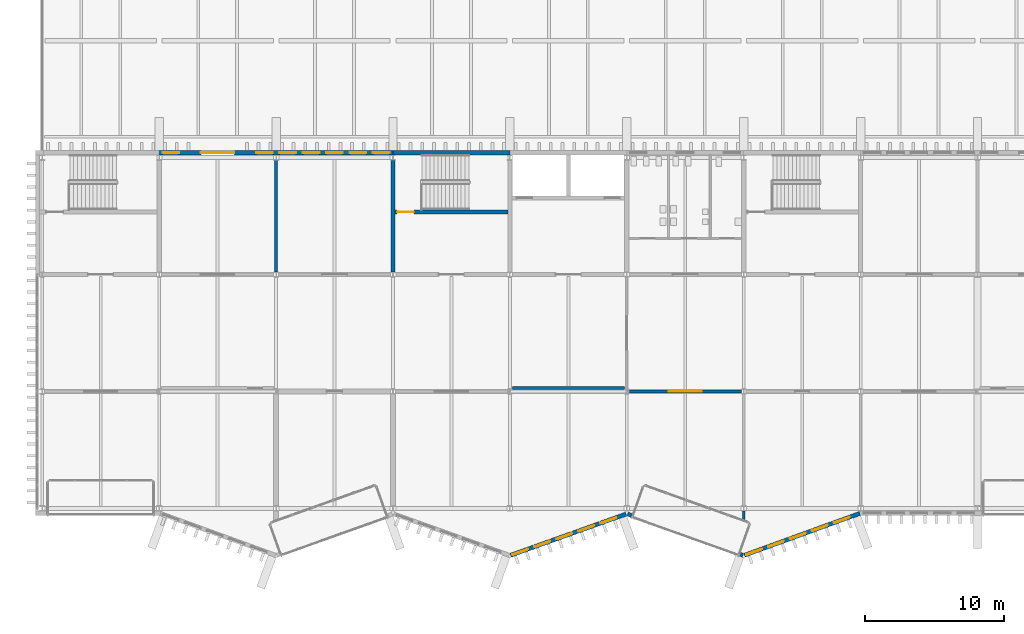
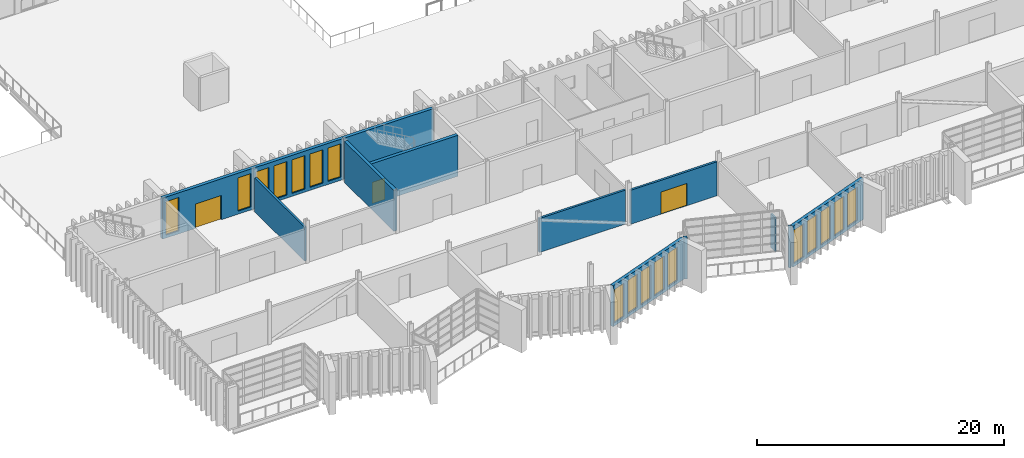
# One storey, part 57 of 96: 17 windows, 12 walls, 3 doors, 20 openings.
"""IFC4 building model written with IfcOpenShell, lengths in metres."""

from ifc_helpers import new_model, si_unit, direction, frame, frame_2d, origin, place, context, subcontext, project, spatial, rectangle, extrude, material, layer, layer_set, type_object, element, fill, save


model = new_model("IFC4")

# Units and contexts
model_context = context("Model", 3, precision=1e-05, world=origin(), true_north=direction((0.0, 1.0)))
body_context = subcontext(model_context, "Body", "Model", "MODEL_VIEW")
ifc_project = project(units=[si_unit("LENGTHUNIT", "METRE"), si_unit("AREAUNIT", "SQUARE_METRE"), si_unit("VOLUMEUNIT", "CUBIC_METRE"), si_unit("PLANEANGLEUNIT", "RADIAN"), si_unit("MASSUNIT", "GRAM", prefix="KILO")], contexts=[model_context])

# Site, building, storey
site_placement = place(None, origin())
site = spatial("IfcSite", under=ifc_project, at=site_placement, CompositionType="ELEMENT")
building_placement = place(site_placement, origin())
building = spatial("IfcBuilding", under=site, at=building_placement, Name="Cresset Court Congress Hotel", CompositionType="ELEMENT")
storey_placement = place(building_placement, frame((0.0, 0.0, 6.0)))
storey = spatial("IfcBuildingStorey", under=building, at=storey_placement, Name="L01", CompositionType="ELEMENT", Elevation=6.0)

# Wall
ifc_material_1 = material(Name="Concrete C50", Category="concrete")
ifc_layer_1 = layer(ifc_material_1, 0.300048828125)
ifc_layer_set_1 = layer_set([ifc_layer_1], Name="Core wall 300 Concrete C50")
wall_type_1 = type_object("IfcWallType", Name="Core wall 300 Concrete C50", PredefinedType="SHEAR", material=ifc_layer_set_1)
wall_1_placement = place(storey_placement, frame((33.60009765625, 17.0, 0.0), z_axis=(0.0, 0.0, 1.0), x_axis=(0.0, 1.0, 0.0)))
element("IfcWall", 1, at=wall_1_placement, inside=storey, type_object=wall_type_1, Name="Core wall ST-B2", PredefinedType="SHEAR", context=body_context, shape_type="SweptSolid", body=[
    extrude(rectangle(XDim=8.0, YDim=0.300048828125, at=frame_2d((4.0, 0.0))), origin(), (0.0, 0.0, 1.0), 4.050048828125),
])

# Wall, opening, door
wall_2_placement = place(storey_placement, frame((33.75, 21.300048828125, 0.0), z_axis=(0.0, 0.0, 1.0), x_axis=(1.0, 0.0, 0.0)))
wall_2 = element("IfcWall", 2, at=wall_2_placement, inside=storey, type_object=wall_type_1, Name="Core wall ST-B2", PredefinedType="SHEAR", context=body_context, shape_type="SweptSolid", body=[
    extrude(rectangle(XDim=8.10009765625, YDim=0.300048828125, at=frame_2d((4.050048828125, 0.0))), origin(), (0.0, 0.0, 1.0), 4.050048828125),
])
opening_1_placement = place(wall_2_placement, frame((0.14990234375, 0.0, 0.0)))
opening_1 = element("IfcOpeningElement", 3, at=opening_1_placement, cuts=wall_2, Name="Opening DB-01-47", PredefinedType="OPENING", context=body_context, shape_type="SweptSolid", body=[
    extrude(rectangle(XDim=1.199951171875, YDim=2.10009765625, at=frame_2d((0.60009765625, 1.050048828125))), frame((0.0, 0.159912109375, 0.0), z_axis=(0.0, -1.0, 0.0), x_axis=(1.0, 0.0, 0.0)), (0.0, 0.0, 1.0), 0.320068359375),
])
ifc_material_2 = material(Name="Timber and steel frame", Category="steel")
door_type_1 = type_object("IfcDoorType", Name="Stair fire door FD60 1200x2100", OperationType="SINGLE_SWING_LEFT", PredefinedType="DOOR", material=ifc_material_2)
door_1_placement = place(opening_1_placement, origin())
door_1 = element("IfcDoor", 4, at=door_1_placement, inside=storey, type_object=door_type_1, Name="Stair door ST-B2", OperationType="SINGLE_SWING_LEFT", OverallHeight=2.10009765625, OverallWidth=1.199951171875, PredefinedType="DOOR", context=body_context, shape_type="SweptSolid", body=[
    extrude(rectangle(XDim=1.199951171875, YDim=2.10009765625, at=frame_2d((0.60009765625, 1.050048828125))), frame((0.0, 0.02490234375, 0.0), z_axis=(0.0, -1.0, 0.0), x_axis=(1.0, 0.0, 0.0)), (0.0, 0.0, 1.0), 0.050048828125),
])
fill(opening_1, door_1)

# Wall
ifc_material_3 = material(Name="Concrete C50", Category="concrete")
ifc_layer_2 = layer(ifc_material_3, 0.300048828125)
ifc_layer_set_2 = layer_set([ifc_layer_2], Name="Core wall 300 Concrete C50 external")
wall_type_2 = type_object("IfcWallType", Name="Core wall 300 Concrete C50 external", PredefinedType="SHEAR", material=ifc_layer_set_2)
wall_3_placement = place(storey_placement, frame((33.60009765625, 25.550048828125, 0.0), z_axis=(0.0, 0.0, 1.0), x_axis=(1.0, 0.0, 0.0)))
element("IfcWall", 5, at=wall_3_placement, inside=storey, type_object=wall_type_2, Name="Core wall ST-B2", PredefinedType="SHEAR", context=body_context, shape_type="SweptSolid", body=[
    extrude(rectangle(XDim=8.39990234375, YDim=0.300048828125, at=frame_2d((4.199951171875, 0.0))), origin(), (0.0, 0.0, 1.0), 4.050048828125),
])

# Wall, openings, windows
ifc_material_4 = material(Name="Concrete C40", Category="concrete")
ifc_layer_3 = layer(ifc_material_4, 0.300048828125)
ifc_layer_set_3 = layer_set([ifc_layer_3], Name="External wall 300 Concrete C40")
wall_type_3 = type_object("IfcWallType", Name="External wall 300 Concrete C40", PredefinedType="SOLIDWALL", material=ifc_layer_set_3)
wall_4_placement = place(storey_placement, frame((42.050537109375, -3.372802734375, 0.0), z_axis=(0.0, 0.0, 1.0), x_axis=(0.941736270411, 0.336352191894, 0.0)))
wall_4 = element("IfcWall", 6, at=wall_4_placement, inside=storey, type_object=wall_type_3, Name="External wall", PredefinedType="SOLIDWALL", context=body_context, shape_type="SweptSolid", body=[
    extrude(rectangle(XDim=8.8125, YDim=0.300048828125, at=frame_2d((4.40625, 0.0))), origin(), (0.0, 0.0, 1.0), 4.050048828125),
])
opening_2_placement = place(wall_4_placement, frame((0.1328125, 0.0, 0.300048828125)))
opening_2 = element("IfcOpeningElement", 7, at=opening_2_placement, cuts=wall_4, Name="Opening NB-01-24", PredefinedType="OPENING", context=body_context, shape_type="SweptSolid", body=[
    extrude(rectangle(XDim=1.199951171875, YDim=3.300048828125, at=frame_2d((0.60009765625, 1.64990234375))), frame((0.0, 0.159912109375, 0.0), z_axis=(0.0, -1.0, 0.0), x_axis=(1.0, 0.0, 0.0)), (0.0, 0.0, 1.0), 0.320068359375),
])
opening_3_placement = place(wall_4_placement, frame((1.81298828125, 0.0, 0.300048828125)))
opening_3 = element("IfcOpeningElement", 8, at=opening_3_placement, cuts=wall_4, Name="Opening NB-01-25", PredefinedType="OPENING", context=body_context, shape_type="SweptSolid", body=[
    extrude(rectangle(XDim=1.199951171875, YDim=3.300048828125, at=frame_2d((0.60009765625, 1.64990234375))), frame((0.0, 0.159912109375, 0.0), z_axis=(0.0, -1.0, 0.0), x_axis=(1.0, 0.0, 0.0)), (0.0, 0.0, 1.0), 0.320068359375),
])
opening_4_placement = place(wall_4_placement, frame((3.492919921875, 0.0, 0.300048828125)))
opening_4 = element("IfcOpeningElement", 9, at=opening_4_placement, cuts=wall_4, Name="Opening NB-01-26", PredefinedType="OPENING", context=body_context, shape_type="SweptSolid", body=[
    extrude(rectangle(XDim=1.199951171875, YDim=3.300048828125, at=frame_2d((0.60009765625, 1.64990234375))), frame((0.0, 0.159912109375, 0.0), z_axis=(0.0, -1.0, 0.0), x_axis=(1.0, 0.0, 0.0)), (0.0, 0.0, 1.0), 0.320068359375),
])
opening_5_placement = place(wall_4_placement, frame((5.1728515625, 0.0, 0.300048828125)))
opening_5 = element("IfcOpeningElement", 10, at=opening_5_placement, cuts=wall_4, Name="Opening NB-01-27", PredefinedType="OPENING", context=body_context, shape_type="SweptSolid", body=[
    extrude(rectangle(XDim=1.199951171875, YDim=3.300048828125, at=frame_2d((0.60009765625, 1.64990234375))), frame((0.0, 0.159912109375, 0.0), z_axis=(0.0, -1.0, 0.0), x_axis=(1.0, 0.0, 0.0)), (0.0, 0.0, 1.0), 0.320068359375),
])
opening_6_placement = place(wall_4_placement, frame((6.852783203125, 0.0, 0.300048828125)))
opening_6 = element("IfcOpeningElement", 11, at=opening_6_placement, cuts=wall_4, Name="Opening NB-01-28", PredefinedType="OPENING", context=body_context, shape_type="SweptSolid", body=[
    extrude(rectangle(XDim=1.199951171875, YDim=3.300048828125, at=frame_2d((0.60009765625, 1.64990234375))), frame((0.0, 0.159912109375, 0.0), z_axis=(0.0, -1.0, 0.0), x_axis=(1.0, 0.0, 0.0)), (0.0, 0.0, 1.0), 0.320068359375),
])
ifc_material_5 = material(Name="Aluminium frame with double glazing", Category="aluminium")
window_type = type_object("IfcWindowType", Name="Window 1200x3300", PartitioningType="TRIPLE_PANEL_VERTICAL", PredefinedType="WINDOW", material=ifc_material_5)
window_1_placement = place(opening_2_placement, origin())
window_1 = element("IfcWindow", 12, at=window_1_placement, inside=storey, type_object=window_type, Name="Window NB-01-24", OverallHeight=3.300048828125, OverallWidth=1.199951171875, PartitioningType="TRIPLE_PANEL_VERTICAL", PredefinedType="WINDOW", context=body_context, shape_type="SweptSolid", body=[
    extrude(rectangle(XDim=1.199951171875, YDim=3.300048828125, at=frame_2d((0.60009765625, 1.64990234375))), frame((0.0, 0.030029296875, 0.0), z_axis=(0.0, -1.0, 0.0), x_axis=(1.0, 0.0, 0.0)), (0.0, 0.0, 1.0), 0.06005859375),
])
fill(opening_2, window_1)
window_2_placement = place(opening_3_placement, origin())
window_2 = element("IfcWindow", 13, at=window_2_placement, inside=storey, type_object=window_type, Name="Window NB-01-25", OverallHeight=3.300048828125, OverallWidth=1.199951171875, PartitioningType="TRIPLE_PANEL_VERTICAL", PredefinedType="WINDOW", context=body_context, shape_type="SweptSolid", body=[
    extrude(rectangle(XDim=1.199951171875, YDim=3.300048828125, at=frame_2d((0.60009765625, 1.64990234375))), frame((0.0, 0.030029296875, 0.0), z_axis=(0.0, -1.0, 0.0), x_axis=(1.0, 0.0, 0.0)), (0.0, 0.0, 1.0), 0.06005859375),
])
fill(opening_3, window_2)
window_3_placement = place(opening_4_placement, origin())
window_3 = element("IfcWindow", 14, at=window_3_placement, inside=storey, type_object=window_type, Name="Window NB-01-26", OverallHeight=3.300048828125, OverallWidth=1.199951171875, PartitioningType="TRIPLE_PANEL_VERTICAL", PredefinedType="WINDOW", context=body_context, shape_type="SweptSolid", body=[
    extrude(rectangle(XDim=1.199951171875, YDim=3.300048828125, at=frame_2d((0.60009765625, 1.64990234375))), frame((0.0, 0.030029296875, 0.0), z_axis=(0.0, -1.0, 0.0), x_axis=(1.0, 0.0, 0.0)), (0.0, 0.0, 1.0), 0.06005859375),
])
fill(opening_4, window_3)
window_4_placement = place(opening_5_placement, origin())
window_4 = element("IfcWindow", 15, at=window_4_placement, inside=storey, type_object=window_type, Name="Window NB-01-27", OverallHeight=3.300048828125, OverallWidth=1.199951171875, PartitioningType="TRIPLE_PANEL_VERTICAL", PredefinedType="WINDOW", context=body_context, shape_type="SweptSolid", body=[
    extrude(rectangle(XDim=1.199951171875, YDim=3.300048828125, at=frame_2d((0.60009765625, 1.64990234375))), frame((0.0, 0.030029296875, 0.0), z_axis=(0.0, -1.0, 0.0), x_axis=(1.0, 0.0, 0.0)), (0.0, 0.0, 1.0), 0.06005859375),
])
fill(opening_5, window_4)
window_5_placement = place(opening_6_placement, origin())
window_5 = element("IfcWindow", 16, at=window_5_placement, inside=storey, type_object=window_type, Name="Window NB-01-28", OverallHeight=3.300048828125, OverallWidth=1.199951171875, PartitioningType="TRIPLE_PANEL_VERTICAL", PredefinedType="WINDOW", context=body_context, shape_type="SweptSolid", body=[
    extrude(rectangle(XDim=1.199951171875, YDim=3.300048828125, at=frame_2d((0.60009765625, 1.64990234375))), frame((0.0, 0.030029296875, 0.0), z_axis=(0.0, -1.0, 0.0), x_axis=(1.0, 0.0, 0.0)), (0.0, 0.0, 1.0), 0.06005859375),
])
fill(opening_6, window_5)

# Walls
wall_5_placement = place(storey_placement, frame((50.450439453125, -0.40869140625, 0.0), z_axis=(0.0, 0.0, 1.0), x_axis=(0.941797147708, -0.336181695768, 0.0)))
element("IfcWall", 17, at=wall_5_placement, inside=storey, type_object=wall_type_3, Name="External wall", PredefinedType="SOLIDWALL", context=body_context, shape_type="SweptSolid", body=[
    extrude(rectangle(XDim=0.300048828125, YDim=0.300048828125, at=frame_2d((0.14990234375, 0.0))), origin(), (0.0, 0.0, 1.0), 4.050048828125),
])
wall_6_placement = place(storey_placement, frame((58.56787109375, -3.307861328125, 0.0), z_axis=(0.0, 0.0, 1.0), x_axis=(0.942000485661, -0.335611509061, 0.0)))
element("IfcWall", 18, at=wall_6_placement, inside=storey, type_object=wall_type_3, Name="External wall", PredefinedType="SOLIDWALL", context=body_context, shape_type="SweptSolid", body=[
    extrude(rectangle(XDim=0.192138671875, YDim=0.300048828125, at=frame_2d((0.09619140625, 0.0))), origin(), (0.0, 0.0, 1.0), 4.050048828125),
])

# Wall, openings, windows
wall_7_placement = place(storey_placement, frame((58.850341796875, -3.3720703125, 0.0), z_axis=(0.0, 0.0, 1.0), x_axis=(0.939953187971, 0.341303390584, 0.0)))
wall_7 = element("IfcWall", 19, at=wall_7_placement, inside=storey, type_object=wall_type_3, Name="External wall", PredefinedType="SOLIDWALL", context=body_context, shape_type="SweptSolid", body=[
    extrude(rectangle(XDim=8.828369140625, YDim=0.300048828125, at=frame_2d((4.4140625, 0.0))), origin(), (0.0, 0.0, 1.0), 4.050048828125),
])
opening_7_placement = place(wall_7_placement, frame((0.132080078125, 0.0, 0.300048828125)))
opening_7 = element("IfcOpeningElement", 20, at=opening_7_placement, cuts=wall_7, Name="Opening NB-01-29", PredefinedType="OPENING", context=body_context, shape_type="SweptSolid", body=[
    extrude(rectangle(XDim=1.199951171875, YDim=3.300048828125, at=frame_2d((0.60009765625, 1.64990234375))), frame((0.0, 0.159912109375, 0.0), z_axis=(0.0, -1.0, 0.0), x_axis=(1.0, 0.0, 0.0)), (0.0, 0.0, 1.0), 0.320068359375),
])
opening_8_placement = place(wall_7_placement, frame((1.81201171875, 0.0, 0.300048828125)))
opening_8 = element("IfcOpeningElement", 21, at=opening_8_placement, cuts=wall_7, Name="Opening NB-01-30", PredefinedType="OPENING", context=body_context, shape_type="SweptSolid", body=[
    extrude(rectangle(XDim=1.199951171875, YDim=3.300048828125, at=frame_2d((0.60009765625, 1.64990234375))), frame((0.0, 0.159912109375, 0.0), z_axis=(0.0, -1.0, 0.0), x_axis=(1.0, 0.0, 0.0)), (0.0, 0.0, 1.0), 0.320068359375),
])
opening_9_placement = place(wall_7_placement, frame((3.491943359375, 0.0, 0.300048828125)))
opening_9 = element("IfcOpeningElement", 22, at=opening_9_placement, cuts=wall_7, Name="Opening NB-01-31", PredefinedType="OPENING", context=body_context, shape_type="SweptSolid", body=[
    extrude(rectangle(XDim=1.199951171875, YDim=3.300048828125, at=frame_2d((0.60009765625, 1.64990234375))), frame((0.0, 0.159912109375, 0.0), z_axis=(0.0, -1.0, 0.0), x_axis=(1.0, 0.0, 0.0)), (0.0, 0.0, 1.0), 0.320068359375),
])
opening_10_placement = place(wall_7_placement, frame((5.172119140625, 0.0, 0.300048828125)))
opening_10 = element("IfcOpeningElement", 23, at=opening_10_placement, cuts=wall_7, Name="Opening NB-01-32", PredefinedType="OPENING", context=body_context, shape_type="SweptSolid", body=[
    extrude(rectangle(XDim=1.199951171875, YDim=3.300048828125, at=frame_2d((0.60009765625, 1.64990234375))), frame((0.0, 0.159912109375, 0.0), z_axis=(0.0, -1.0, 0.0), x_axis=(1.0, 0.0, 0.0)), (0.0, 0.0, 1.0), 0.320068359375),
])
opening_11_placement = place(wall_7_placement, frame((6.85205078125, 0.0, 0.300048828125)))
opening_11 = element("IfcOpeningElement", 24, at=opening_11_placement, cuts=wall_7, Name="Opening NB-01-33", PredefinedType="OPENING", context=body_context, shape_type="SweptSolid", body=[
    extrude(rectangle(XDim=1.199951171875, YDim=3.300048828125, at=frame_2d((0.60009765625, 1.64990234375))), frame((0.0, 0.159912109375, 0.0), z_axis=(0.0, -1.0, 0.0), x_axis=(1.0, 0.0, 0.0)), (0.0, 0.0, 1.0), 0.320068359375),
])
window_6_placement = place(opening_7_placement, origin())
window_6 = element("IfcWindow", 25, at=window_6_placement, inside=storey, type_object=window_type, Name="Window NB-01-29", OverallHeight=3.300048828125, OverallWidth=1.199951171875, PartitioningType="TRIPLE_PANEL_VERTICAL", PredefinedType="WINDOW", context=body_context, shape_type="SweptSolid", body=[
    extrude(rectangle(XDim=1.199951171875, YDim=3.300048828125, at=frame_2d((0.60009765625, 1.64990234375))), frame((0.0, 0.030029296875, 0.0), z_axis=(0.0, -1.0, 0.0), x_axis=(1.0, 0.0, 0.0)), (0.0, 0.0, 1.0), 0.06005859375),
])
fill(opening_7, window_6)
window_7_placement = place(opening_8_placement, origin())
window_7 = element("IfcWindow", 26, at=window_7_placement, inside=storey, type_object=window_type, Name="Window NB-01-30", OverallHeight=3.300048828125, OverallWidth=1.199951171875, PartitioningType="TRIPLE_PANEL_VERTICAL", PredefinedType="WINDOW", context=body_context, shape_type="SweptSolid", body=[
    extrude(rectangle(XDim=1.199951171875, YDim=3.300048828125, at=frame_2d((0.60009765625, 1.64990234375))), frame((0.0, 0.030029296875, 0.0), z_axis=(0.0, -1.0, 0.0), x_axis=(1.0, 0.0, 0.0)), (0.0, 0.0, 1.0), 0.06005859375),
])
fill(opening_8, window_7)
window_8_placement = place(opening_9_placement, origin())
window_8 = element("IfcWindow", 27, at=window_8_placement, inside=storey, type_object=window_type, Name="Window NB-01-31", OverallHeight=3.300048828125, OverallWidth=1.199951171875, PartitioningType="TRIPLE_PANEL_VERTICAL", PredefinedType="WINDOW", context=body_context, shape_type="SweptSolid", body=[
    extrude(rectangle(XDim=1.199951171875, YDim=3.300048828125, at=frame_2d((0.60009765625, 1.64990234375))), frame((0.0, 0.030029296875, 0.0), z_axis=(0.0, -1.0, 0.0), x_axis=(1.0, 0.0, 0.0)), (0.0, 0.0, 1.0), 0.06005859375),
])
fill(opening_9, window_8)
window_9_placement = place(opening_10_placement, origin())
window_9 = element("IfcWindow", 28, at=window_9_placement, inside=storey, type_object=window_type, Name="Window NB-01-32", OverallHeight=3.300048828125, OverallWidth=1.199951171875, PartitioningType="TRIPLE_PANEL_VERTICAL", PredefinedType="WINDOW", context=body_context, shape_type="SweptSolid", body=[
    extrude(rectangle(XDim=1.199951171875, YDim=3.300048828125, at=frame_2d((0.60009765625, 1.64990234375))), frame((0.0, 0.030029296875, 0.0), z_axis=(0.0, -1.0, 0.0), x_axis=(1.0, 0.0, 0.0)), (0.0, 0.0, 1.0), 0.06005859375),
])
fill(opening_10, window_9)
window_10_placement = place(opening_11_placement, origin())
window_10 = element("IfcWindow", 29, at=window_10_placement, inside=storey, type_object=window_type, Name="Window NB-01-33", OverallHeight=3.300048828125, OverallWidth=1.199951171875, PartitioningType="TRIPLE_PANEL_VERTICAL", PredefinedType="WINDOW", context=body_context, shape_type="SweptSolid", body=[
    extrude(rectangle(XDim=1.199951171875, YDim=3.300048828125, at=frame_2d((0.60009765625, 1.64990234375))), frame((0.0, 0.030029296875, 0.0), z_axis=(0.0, -1.0, 0.0), x_axis=(1.0, 0.0, 0.0)), (0.0, 0.0, 1.0), 0.06005859375),
])
fill(opening_11, window_10)

# Wall, openings, door, windows
wall_8_placement = place(storey_placement, frame((16.699951171875, 25.550048828125, 0.0), z_axis=(0.0, 0.0, 1.0), x_axis=(1.0, 0.0, 0.0)))
wall_8 = element("IfcWall", 30, at=wall_8_placement, inside=storey, type_object=wall_type_3, Name="External wall", PredefinedType="SOLIDWALL", context=body_context, shape_type="SweptSolid", body=[
    extrude(rectangle(XDim=17.0, YDim=0.300048828125, at=frame_2d((8.5, 0.0))), origin(), (0.0, 0.0, 1.0), 4.050048828125),
])
opening_12_placement = place(wall_8_placement, frame((3.10009765625, 0.0, 0.0)))
opening_12 = element("IfcOpeningElement", 31, at=opening_12_placement, cuts=wall_8, Name="Opening DB-01-01", PredefinedType="OPENING", context=body_context, shape_type="SweptSolid", body=[
    extrude(rectangle(XDim=2.39990234375, YDim=2.39990234375, at=frame_2d((1.199951171875, 1.199951171875))), frame((0.0, 0.159912109375, 0.0), z_axis=(0.0, -1.0, 0.0), x_axis=(1.0, 0.0, 0.0)), (0.0, 0.0, 1.0), 0.320068359375),
])
opening_13_placement = place(wall_8_placement, frame((0.340087890625, 0.0, 0.300048828125)))
opening_13 = element("IfcOpeningElement", 32, at=opening_13_placement, cuts=wall_8, Name="Opening NB-01-49", PredefinedType="OPENING", context=body_context, shape_type="SweptSolid", body=[
    extrude(rectangle(XDim=1.199951171875, YDim=3.300048828125, at=frame_2d((0.60009765625, 1.64990234375))), frame((0.0, 0.159912109375, 0.0), z_axis=(0.0, -1.0, 0.0), x_axis=(1.0, 0.0, 0.0)), (0.0, 0.0, 1.0), 0.320068359375),
])
opening_14_placement = place(wall_8_placement, frame((7.06005859375, 0.0, 0.300048828125)))
opening_14 = element("IfcOpeningElement", 33, at=opening_14_placement, cuts=wall_8, Name="Opening NB-01-50", PredefinedType="OPENING", context=body_context, shape_type="SweptSolid", body=[
    extrude(rectangle(XDim=1.199951171875, YDim=3.300048828125, at=frame_2d((0.60009765625, 1.64990234375))), frame((0.0, 0.159912109375, 0.0), z_axis=(0.0, -1.0, 0.0), x_axis=(1.0, 0.0, 0.0)), (0.0, 0.0, 1.0), 0.320068359375),
])
opening_15_placement = place(wall_8_placement, frame((8.739990234375, 0.0, 0.300048828125)))
opening_15 = element("IfcOpeningElement", 34, at=opening_15_placement, cuts=wall_8, Name="Opening NB-01-51", PredefinedType="OPENING", context=body_context, shape_type="SweptSolid", body=[
    extrude(rectangle(XDim=1.199951171875, YDim=3.300048828125, at=frame_2d((0.60009765625, 1.64990234375))), frame((0.0, 0.159912109375, 0.0), z_axis=(0.0, -1.0, 0.0), x_axis=(1.0, 0.0, 0.0)), (0.0, 0.0, 1.0), 0.320068359375),
])
opening_16_placement = place(wall_8_placement, frame((10.419921875, 0.0, 0.300048828125)))
opening_16 = element("IfcOpeningElement", 35, at=opening_16_placement, cuts=wall_8, Name="Opening NB-01-52", PredefinedType="OPENING", context=body_context, shape_type="SweptSolid", body=[
    extrude(rectangle(XDim=1.199951171875, YDim=3.300048828125, at=frame_2d((0.60009765625, 1.64990234375))), frame((0.0, 0.159912109375, 0.0), z_axis=(0.0, -1.0, 0.0), x_axis=(1.0, 0.0, 0.0)), (0.0, 0.0, 1.0), 0.320068359375),
])
opening_17_placement = place(wall_8_placement, frame((12.10009765625, 0.0, 0.300048828125)))
opening_17 = element("IfcOpeningElement", 36, at=opening_17_placement, cuts=wall_8, Name="Opening NB-01-53", PredefinedType="OPENING", context=body_context, shape_type="SweptSolid", body=[
    extrude(rectangle(XDim=1.199951171875, YDim=3.300048828125, at=frame_2d((0.60009765625, 1.64990234375))), frame((0.0, 0.159912109375, 0.0), z_axis=(0.0, -1.0, 0.0), x_axis=(1.0, 0.0, 0.0)), (0.0, 0.0, 1.0), 0.320068359375),
])
opening_18_placement = place(wall_8_placement, frame((13.780029296875, 0.0, 0.300048828125)))
opening_18 = element("IfcOpeningElement", 37, at=opening_18_placement, cuts=wall_8, Name="Opening NB-01-54", PredefinedType="OPENING", context=body_context, shape_type="SweptSolid", body=[
    extrude(rectangle(XDim=1.199951171875, YDim=3.300048828125, at=frame_2d((0.60009765625, 1.64990234375))), frame((0.0, 0.159912109375, 0.0), z_axis=(0.0, -1.0, 0.0), x_axis=(1.0, 0.0, 0.0)), (0.0, 0.0, 1.0), 0.320068359375),
])
opening_19_placement = place(wall_8_placement, frame((15.4599609375, 0.0, 0.300048828125)))
opening_19 = element("IfcOpeningElement", 38, at=opening_19_placement, cuts=wall_8, Name="Opening NB-01-55", PredefinedType="OPENING", context=body_context, shape_type="SweptSolid", body=[
    extrude(rectangle(XDim=1.199951171875, YDim=3.300048828125, at=frame_2d((0.60009765625, 1.64990234375))), frame((0.0, 0.159912109375, 0.0), z_axis=(0.0, -1.0, 0.0), x_axis=(1.0, 0.0, 0.0)), (0.0, 0.0, 1.0), 0.320068359375),
])
ifc_material_6 = material(Name="Aluminium frame with toughened glass", Category="aluminium")
door_type_2 = type_object("IfcDoorType", Name="Gallery door glazed double 2400x2400", OperationType="DOUBLE_DOOR_SINGLE_SWING", PredefinedType="DOOR", material=ifc_material_6)
door_2_placement = place(opening_12_placement, origin())
door_2 = element("IfcDoor", 39, at=door_2_placement, inside=storey, type_object=door_type_2, Name="Gallery door", OperationType="DOUBLE_DOOR_SINGLE_SWING", OverallHeight=2.39990234375, OverallWidth=2.39990234375, PredefinedType="DOOR", context=body_context, shape_type="SweptSolid", body=[
    extrude(rectangle(XDim=2.39990234375, YDim=2.39990234375, at=frame_2d((1.199951171875, 1.199951171875))), frame((0.0, 0.02490234375, 0.0), z_axis=(0.0, -1.0, 0.0), x_axis=(1.0, 0.0, 0.0)), (0.0, 0.0, 1.0), 0.050048828125),
])
fill(opening_12, door_2)
window_11_placement = place(opening_13_placement, origin())
window_11 = element("IfcWindow", 40, at=window_11_placement, inside=storey, type_object=window_type, Name="Window NB-01-49", OverallHeight=3.300048828125, OverallWidth=1.199951171875, PartitioningType="TRIPLE_PANEL_VERTICAL", PredefinedType="WINDOW", context=body_context, shape_type="SweptSolid", body=[
    extrude(rectangle(XDim=1.199951171875, YDim=3.300048828125, at=frame_2d((0.60009765625, 1.64990234375))), frame((0.0, 0.030029296875, 0.0), z_axis=(0.0, -1.0, 0.0), x_axis=(1.0, 0.0, 0.0)), (0.0, 0.0, 1.0), 0.06005859375),
])
fill(opening_13, window_11)
window_12_placement = place(opening_14_placement, origin())
window_12 = element("IfcWindow", 41, at=window_12_placement, inside=storey, type_object=window_type, Name="Window NB-01-50", OverallHeight=3.300048828125, OverallWidth=1.199951171875, PartitioningType="TRIPLE_PANEL_VERTICAL", PredefinedType="WINDOW", context=body_context, shape_type="SweptSolid", body=[
    extrude(rectangle(XDim=1.199951171875, YDim=3.300048828125, at=frame_2d((0.60009765625, 1.64990234375))), frame((0.0, 0.030029296875, 0.0), z_axis=(0.0, -1.0, 0.0), x_axis=(1.0, 0.0, 0.0)), (0.0, 0.0, 1.0), 0.06005859375),
])
fill(opening_14, window_12)
window_13_placement = place(opening_15_placement, origin())
window_13 = element("IfcWindow", 42, at=window_13_placement, inside=storey, type_object=window_type, Name="Window NB-01-51", OverallHeight=3.300048828125, OverallWidth=1.199951171875, PartitioningType="TRIPLE_PANEL_VERTICAL", PredefinedType="WINDOW", context=body_context, shape_type="SweptSolid", body=[
    extrude(rectangle(XDim=1.199951171875, YDim=3.300048828125, at=frame_2d((0.60009765625, 1.64990234375))), frame((0.0, 0.030029296875, 0.0), z_axis=(0.0, -1.0, 0.0), x_axis=(1.0, 0.0, 0.0)), (0.0, 0.0, 1.0), 0.06005859375),
])
fill(opening_15, window_13)
window_14_placement = place(opening_16_placement, origin())
window_14 = element("IfcWindow", 43, at=window_14_placement, inside=storey, type_object=window_type, Name="Window NB-01-52", OverallHeight=3.300048828125, OverallWidth=1.199951171875, PartitioningType="TRIPLE_PANEL_VERTICAL", PredefinedType="WINDOW", context=body_context, shape_type="SweptSolid", body=[
    extrude(rectangle(XDim=1.199951171875, YDim=3.300048828125, at=frame_2d((0.60009765625, 1.64990234375))), frame((0.0, 0.030029296875, 0.0), z_axis=(0.0, -1.0, 0.0), x_axis=(1.0, 0.0, 0.0)), (0.0, 0.0, 1.0), 0.06005859375),
])
fill(opening_16, window_14)
window_15_placement = place(opening_17_placement, origin())
window_15 = element("IfcWindow", 44, at=window_15_placement, inside=storey, type_object=window_type, Name="Window NB-01-53", OverallHeight=3.300048828125, OverallWidth=1.199951171875, PartitioningType="TRIPLE_PANEL_VERTICAL", PredefinedType="WINDOW", context=body_context, shape_type="SweptSolid", body=[
    extrude(rectangle(XDim=1.199951171875, YDim=3.300048828125, at=frame_2d((0.60009765625, 1.64990234375))), frame((0.0, 0.030029296875, 0.0), z_axis=(0.0, -1.0, 0.0), x_axis=(1.0, 0.0, 0.0)), (0.0, 0.0, 1.0), 0.06005859375),
])
fill(opening_17, window_15)
window_16_placement = place(opening_18_placement, origin())
window_16 = element("IfcWindow", 45, at=window_16_placement, inside=storey, type_object=window_type, Name="Window NB-01-54", OverallHeight=3.300048828125, OverallWidth=1.199951171875, PartitioningType="TRIPLE_PANEL_VERTICAL", PredefinedType="WINDOW", context=body_context, shape_type="SweptSolid", body=[
    extrude(rectangle(XDim=1.199951171875, YDim=3.300048828125, at=frame_2d((0.60009765625, 1.64990234375))), frame((0.0, 0.030029296875, 0.0), z_axis=(0.0, -1.0, 0.0), x_axis=(1.0, 0.0, 0.0)), (0.0, 0.0, 1.0), 0.06005859375),
])
fill(opening_18, window_16)
window_17_placement = place(opening_19_placement, origin())
window_17 = element("IfcWindow", 46, at=window_17_placement, inside=storey, type_object=window_type, Name="Window NB-01-55", OverallHeight=3.300048828125, OverallWidth=1.199951171875, PartitioningType="TRIPLE_PANEL_VERTICAL", PredefinedType="WINDOW", context=body_context, shape_type="SweptSolid", body=[
    extrude(rectangle(XDim=1.199951171875, YDim=3.300048828125, at=frame_2d((0.60009765625, 1.64990234375))), frame((0.0, 0.030029296875, 0.0), z_axis=(0.0, -1.0, 0.0), x_axis=(1.0, 0.0, 0.0)), (0.0, 0.0, 1.0), 0.06005859375),
])
fill(opening_19, window_17)

# Wall
ifc_material_7 = material(Name="Gypsum board on steel studs", Category="steel")
ifc_layer_4 = layer(ifc_material_7, 0.199951171875)
ifc_layer_set_4 = layer_set([ifc_layer_4], Name="Foyer wall 200")
wall_type_4 = type_object("IfcWallType", Name="Foyer wall 200", PredefinedType="PARTITIONING", material=ifc_layer_set_4)
wall_9_placement = place(storey_placement, frame((42.175048828125, 8.646484375, 0.0), z_axis=(0.0, 0.0, 1.0), x_axis=(1.0, 0.0, 0.0)))
element("IfcWall", 47, at=wall_9_placement, inside=storey, type_object=wall_type_4, Name="Foyer wall", PredefinedType="PARTITIONING", context=body_context, shape_type="SweptSolid", body=[
    extrude(rectangle(XDim=8.050048828125, YDim=0.199951171875, at=frame_2d((4.02490234375, 0.0))), origin(), (0.0, 0.0, 1.0), 3.35009765625),
])

# Wall, opening, door
wall_10_placement = place(storey_placement, frame((50.574951171875, 8.39990234375, 0.0), z_axis=(0.0, 0.0, 1.0), x_axis=(1.0, 0.0, 0.0)))
wall_10 = element("IfcWall", 48, at=wall_10_placement, inside=storey, type_object=wall_type_4, Name="Foyer wall", PredefinedType="PARTITIONING", context=body_context, shape_type="SweptSolid", body=[
    extrude(rectangle(XDim=8.050048828125, YDim=0.199951171875, at=frame_2d((4.02490234375, 0.0))), origin(), (0.0, 0.0, 1.0), 3.35009765625),
])
opening_20_placement = place(wall_10_placement, frame((2.824951171875, 0.0, 0.0)))
opening_20 = element("IfcOpeningElement", 49, at=opening_20_placement, cuts=wall_10, Name="Opening DB-01-09", PredefinedType="OPENING", context=body_context, shape_type="SweptSolid", body=[
    extrude(rectangle(XDim=2.39990234375, YDim=2.199951171875, at=frame_2d((1.199951171875, 1.10009765625))), frame((0.0, 0.10986328125, 0.0), z_axis=(0.0, -1.0, 0.0), x_axis=(1.0, 0.0, 0.0)), (0.0, 0.0, 1.0), 0.219970703125),
])
ifc_material_8 = material(Name="Timber and steel frame", Category="steel")
door_type_3 = type_object("IfcDoorType", Name="Fire door FD30 double 2400x2200", OperationType="DOUBLE_DOOR_SINGLE_SWING", PredefinedType="DOOR", material=ifc_material_8)
door_3_placement = place(opening_20_placement, origin())
door_3 = element("IfcDoor", 50, at=door_3_placement, inside=storey, type_object=door_type_3, Name="Meeting Room door", OperationType="DOUBLE_DOOR_SINGLE_SWING", OverallHeight=2.199951171875, OverallWidth=2.39990234375, PredefinedType="DOOR", context=body_context, shape_type="SweptSolid", body=[
    extrude(rectangle(XDim=2.39990234375, YDim=2.199951171875, at=frame_2d((1.199951171875, 1.10009765625))), frame((0.0, 0.02490234375, 0.0), z_axis=(0.0, -1.0, 0.0), x_axis=(1.0, 0.0, 0.0)), (0.0, 0.0, 1.0), 0.050048828125),
])
fill(opening_20, door_3)

# Walls
wall_11_placement = place(storey_placement, frame((25.199951171875, 16.97509765625, 0.0), z_axis=(0.0, 0.0, 1.0), x_axis=(0.0, 1.0, 0.0)))
element("IfcWall", 51, at=wall_11_placement, inside=storey, type_object=wall_type_4, Name="Foyer wall", PredefinedType="PARTITIONING", context=body_context, shape_type="SweptSolid", body=[
    extrude(rectangle(XDim=8.0498046875, YDim=0.199951171875, at=frame_2d((4.02490234375, 0.0))), origin(), (0.0, 0.0, 1.0), 3.35009765625),
])
ifc_material_9 = material(Name="Gypsum board on steel studs", Category="steel")
ifc_layer_5 = layer(ifc_material_9, 0.14990234375)
ifc_layer_set_5 = layer_set([ifc_layer_5], Name="Partition 150")
wall_type_5 = type_object("IfcWallType", Name="Partition 150", PredefinedType="PARTITIONING", material=ifc_layer_set_5)
wall_12_placement = place(storey_placement, frame((58.800048828125, -0.895263671875, 0.0), z_axis=(0.0, 0.0, 1.0), x_axis=(0.0, 1.0, 0.0)))
element("IfcWall", 52, at=wall_12_placement, inside=storey, type_object=wall_type_5, Name="Partition", PredefinedType="PARTITIONING", context=body_context, shape_type="SweptSolid", body=[
    extrude(rectangle(XDim=0.72021484375, YDim=0.14990234375, at=frame_2d((0.360107421875, 0.0))), origin(), (0.0, 0.0, 1.0), 3.35009765625),
])

save(model, "model.ifc")
